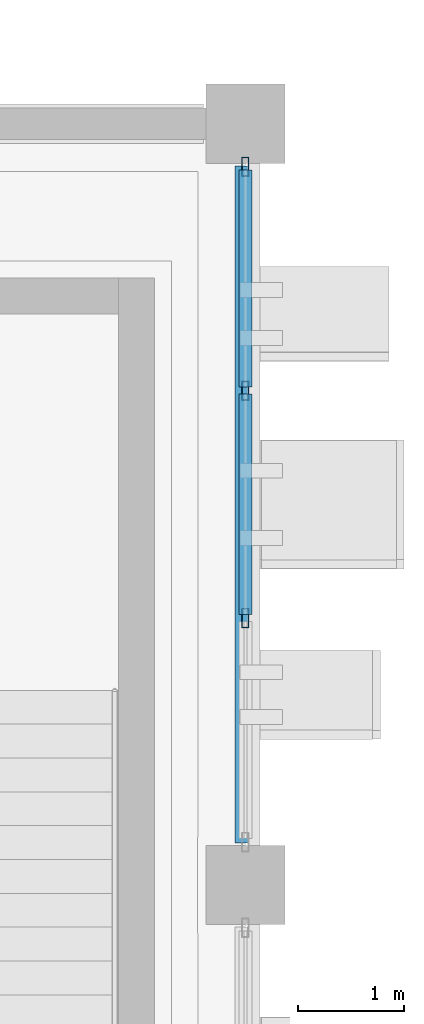
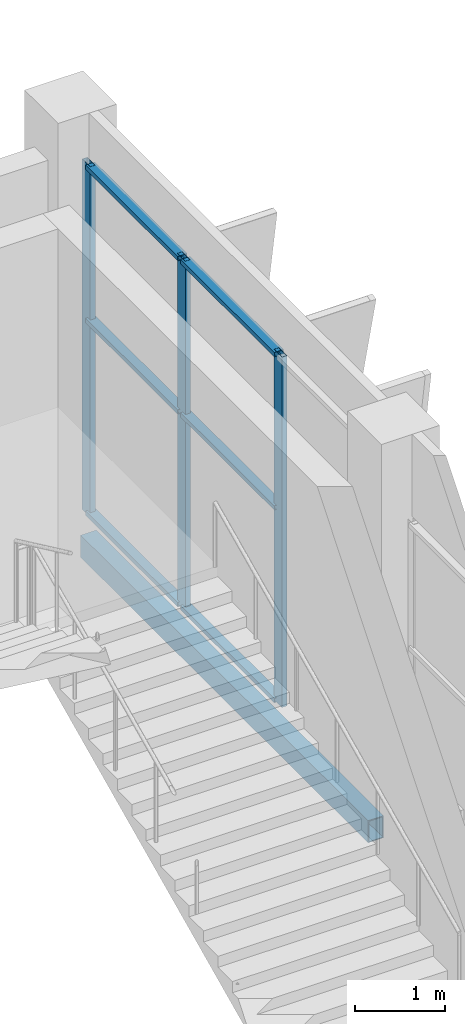
# One storey, part 67 of 189: 9 members, 1 beam, 1 element without a shape of its own.
"""IFC4 building model written with IfcOpenShell, lengths in metres."""

from ifc_helpers import new_model, si_unit, direction, frame, origin, origin_2d, place, context, subcontext, project, spatial, hollow_rectangle, extrude, material, layer, layer_set, material_profile, profile_set, type_object, element, aggregate, save


model = new_model("IFC4")

# Units and contexts
model_context = context("Model", 3, precision=1e-05, world=origin(), true_north=direction((0.0, 1.0)))
body_context = subcontext(model_context, "Body", "Model", "MODEL_VIEW")
ifc_project = project(units=[si_unit("LENGTHUNIT", "METRE"), si_unit("AREAUNIT", "SQUARE_METRE"), si_unit("VOLUMEUNIT", "CUBIC_METRE"), si_unit("PLANEANGLEUNIT", "RADIAN"), si_unit("MASSUNIT", "GRAM", prefix="KILO")], contexts=[model_context])

# Site, building, storey
site_placement = place(None, origin())
site = spatial("IfcSite", under=ifc_project, at=site_placement, CompositionType="ELEMENT")
building_placement = place(site_placement, origin())
building = spatial("IfcBuilding", under=site, at=building_placement, Name="Celestram Park Convention Centre", CompositionType="ELEMENT")
storey_placement = place(building_placement, frame((0.0, 0.0, 5.39990234375)))
storey = spatial("IfcBuildingStorey", under=building, at=storey_placement, Name="L01", CompositionType="ELEMENT", Elevation=5.39990234375)

# Curtain wall, members
ifc_material_1 = material(Name="Anodised Aluminium Alloy 6063-T6", Category="aluminium")
ifc_layer = layer(ifc_material_1, 0.179931640625)
ifc_layer_set = layer_set([ifc_layer], Name="Anodised Aluminium Alloy 6063-T6")
curtain_wall_type = type_object("IfcCurtainWallType", Name="ARC-CW-645X476", PredefinedType="NOTDEFINED", material=ifc_layer_set)
curtain_wall_placement = place(storey_placement, origin())
curtain_wall = element("IfcCurtainWall", 1, at=curtain_wall_placement, inside=storey, type_object=curtain_wall_type, Name="Unitised curtain wall CU-L01-101", PredefinedType="NOTDEFINED")
ifc_material_profile_1 = material_profile(ifc_material_1, hollow_rectangle(XDim=0.06494140625, YDim=0.179931640625, WallThickness=0.00390625, at=origin_2d()), Name="ALU65X180X4")
ifc_profile_set_1 = profile_set([ifc_material_profile_1], Name="Anodised Aluminium Alloy 6063-T6")
member_type_1 = type_object("IfcMemberType", Name="ARC-CWM-150", PredefinedType="MULLION", material=ifc_profile_set_1)
member_1_placement = place(storey_placement, frame((216.0, 35.594482421875, 0.0), z_axis=(0.0, 0.0, 1.0), x_axis=(1.0, 0.0, 0.0)))
member_1 = element("IfcMember", 2, at=member_1_placement, type_object=member_type_1, Name="CW-64X47 mullion 1", PredefinedType="MULLION", context=body_context, shape_type="SweptSolid", body=[
    extrude(hollow_rectangle(XDim=0.06494140625, YDim=0.179931640625, WallThickness=0.00390625, at=origin_2d()), origin(), (0.0, 0.0, 1.0), 4.76416015625),
])
member_2_placement = place(storey_placement, frame((216.0, 33.4755859375, 0.0), z_axis=(0.0, 0.0, 1.0), x_axis=(1.0, 0.0, 0.0)))
member_2 = element("IfcMember", 3, at=member_2_placement, type_object=member_type_1, Name="CW-64X47 mullion 2", PredefinedType="MULLION", context=body_context, shape_type="SweptSolid", body=[
    extrude(hollow_rectangle(XDim=0.06494140625, YDim=0.179931640625, WallThickness=0.00390625, at=origin_2d()), origin(), (0.0, 0.0, 1.0), 4.76416015625),
])
member_3_placement = place(storey_placement, frame((216.0, 31.32421875, 0.0), z_axis=(0.0, 0.0, 1.0), x_axis=(1.0, 0.0, 0.0)))
member_3 = element("IfcMember", 4, at=member_3_placement, type_object=member_type_1, Name="CW-64X47 mullion 3", PredefinedType="MULLION", context=body_context, shape_type="SweptSolid", body=[
    extrude(hollow_rectangle(XDim=0.06494140625, YDim=0.179931640625, WallThickness=0.00390625, at=origin_2d()), origin(), (0.0, 0.0, 1.0), 4.76416015625),
])
ifc_material_profile_2 = material_profile(ifc_material_1, hollow_rectangle(XDim=0.1201171875, YDim=0.06005859375, WallThickness=0.0029296875, at=origin_2d()), Name="ALU120X60X3")
ifc_profile_set_2 = profile_set([ifc_material_profile_2], Name="Anodised Aluminium Alloy 6063-T6")
member_type_2 = type_object("IfcMemberType", Name="ARC-CWT-120", PredefinedType="USERDEFINED", material=ifc_profile_set_2)
member_4_placement = place(storey_placement, frame((216.0, 35.56201171875, 0.030029296875), z_axis=(0.0, -1.0, 0.0), x_axis=(1.0, 0.0, 0.0)))
member_4 = element("IfcMember", 5, at=member_4_placement, type_object=member_type_2, Name="CW-64X47 transom 1.1", ObjectType="TRANSOM", PredefinedType="USERDEFINED", context=body_context, shape_type="SweptSolid", body=[
    extrude(hollow_rectangle(XDim=0.1201171875, YDim=0.06005859375, WallThickness=0.0029296875, at=origin_2d()), origin(), (0.0, 0.0, 1.0), 2.053955078125),
])
member_5_placement = place(storey_placement, frame((216.0, 35.56201171875, 2.650146484375), z_axis=(0.0, -1.0, 0.0), x_axis=(1.0, 0.0, 0.0)))
member_5 = element("IfcMember", 6, at=member_5_placement, type_object=member_type_2, Name="CW-64X47 transom 1.2", ObjectType="TRANSOM", PredefinedType="USERDEFINED", context=body_context, shape_type="SweptSolid", body=[
    extrude(hollow_rectangle(XDim=0.1201171875, YDim=0.06005859375, WallThickness=0.0029296875, at=origin_2d()), origin(), (0.0, 0.0, 1.0), 2.053955078125),
])
member_6_placement = place(storey_placement, frame((216.0, 35.56201171875, 4.734130859375), z_axis=(0.0, -1.0, 0.0), x_axis=(1.0, 0.0, 0.0)))
member_6 = element("IfcMember", 7, at=member_6_placement, type_object=member_type_2, Name="CW-64X47 transom 1.3", ObjectType="TRANSOM", PredefinedType="USERDEFINED", context=body_context, shape_type="SweptSolid", body=[
    extrude(hollow_rectangle(XDim=0.1201171875, YDim=0.06005859375, WallThickness=0.0029296875, at=origin_2d()), origin(), (0.0, 0.0, 1.0), 2.053955078125),
])
member_7_placement = place(storey_placement, frame((216.0, 33.443115234375, 0.030029296875), z_axis=(0.0, -1.0, 0.0), x_axis=(1.0, 0.0, 0.0)))
member_7 = element("IfcMember", 8, at=member_7_placement, type_object=member_type_2, Name="CW-64X47 transom 2.1", ObjectType="TRANSOM", PredefinedType="USERDEFINED", context=body_context, shape_type="SweptSolid", body=[
    extrude(hollow_rectangle(XDim=0.1201171875, YDim=0.06005859375, WallThickness=0.0029296875, at=origin_2d()), origin(), (0.0, 0.0, 1.0), 2.086181640625),
])
member_8_placement = place(storey_placement, frame((216.0, 33.443115234375, 2.650146484375), z_axis=(0.0, -1.0, 0.0), x_axis=(1.0, 0.0, 0.0)))
member_8 = element("IfcMember", 9, at=member_8_placement, type_object=member_type_2, Name="CW-64X47 transom 2.2", ObjectType="TRANSOM", PredefinedType="USERDEFINED", context=body_context, shape_type="SweptSolid", body=[
    extrude(hollow_rectangle(XDim=0.1201171875, YDim=0.06005859375, WallThickness=0.0029296875, at=origin_2d()), origin(), (0.0, 0.0, 1.0), 2.086181640625),
])
member_9_placement = place(storey_placement, frame((216.0, 33.443115234375, 4.734130859375), z_axis=(0.0, -1.0, 0.0), x_axis=(1.0, 0.0, 0.0)))
member_9 = element("IfcMember", 10, at=member_9_placement, type_object=member_type_2, Name="CW-64X47 transom 2.3", ObjectType="TRANSOM", PredefinedType="USERDEFINED", context=body_context, shape_type="SweptSolid", body=[
    extrude(hollow_rectangle(XDim=0.1201171875, YDim=0.06005859375, WallThickness=0.0029296875, at=origin_2d()), origin(), (0.0, 0.0, 1.0), 2.086181640625),
])
aggregate(curtain_wall, [member_1, member_2, member_3, member_4, member_5, member_6, member_7, member_8, member_9])

# Beam
ifc_material_2 = material(Name="Steel ASTM A500 Grade C", Category="steel")
ifc_material_profile_3 = material_profile(ifc_material_2, hollow_rectangle(XDim=0.199951171875, YDim=0.300048828125, WallThickness=0.011962890625, at=origin_2d()), Name="HSS300X200X12")
ifc_profile_set_3 = profile_set([ifc_material_profile_3], Name="Steel ASTM A500 Grade C")
beam_type = type_object("IfcBeamType", Name="STR-SPN-HSS300X200", PredefinedType="SPANDREL", material=ifc_profile_set_3)
beam_placement = place(storey_placement, frame((216.0, 29.197998046875, -0.429931640625), z_axis=(0.0, 1.0, 0.0), x_axis=(-1.0, 0.0, 0.0)))
element("IfcBeam", 11, at=beam_placement, inside=storey, type_object=beam_type, Name="Primary Y-girder BG-L01-0537", PredefinedType="SPANDREL", context=body_context, shape_type="SweptSolid", body=[
    extrude(hollow_rectangle(XDim=0.199951171875, YDim=0.300048828125, WallThickness=0.011962890625, at=origin_2d()), origin(), (0.0, 0.0, 1.0), 6.404052734375),
])

save(model, "model.ifc")
